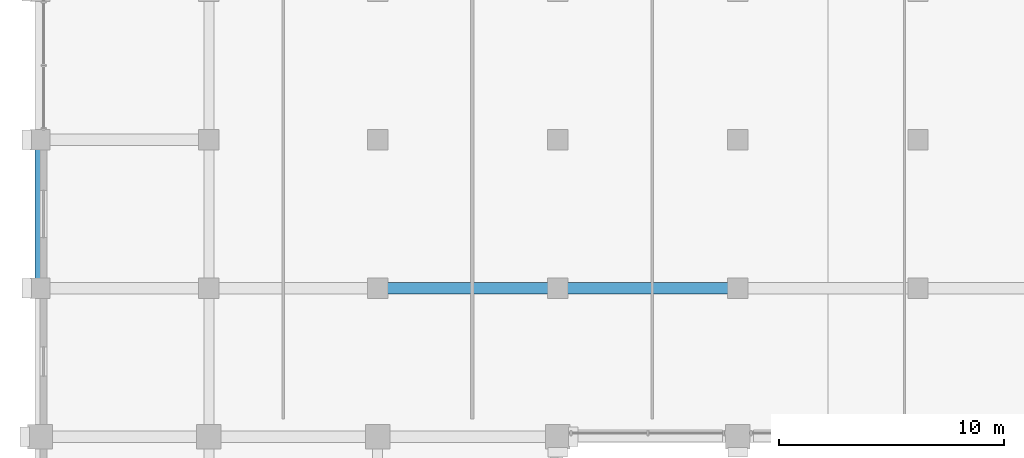
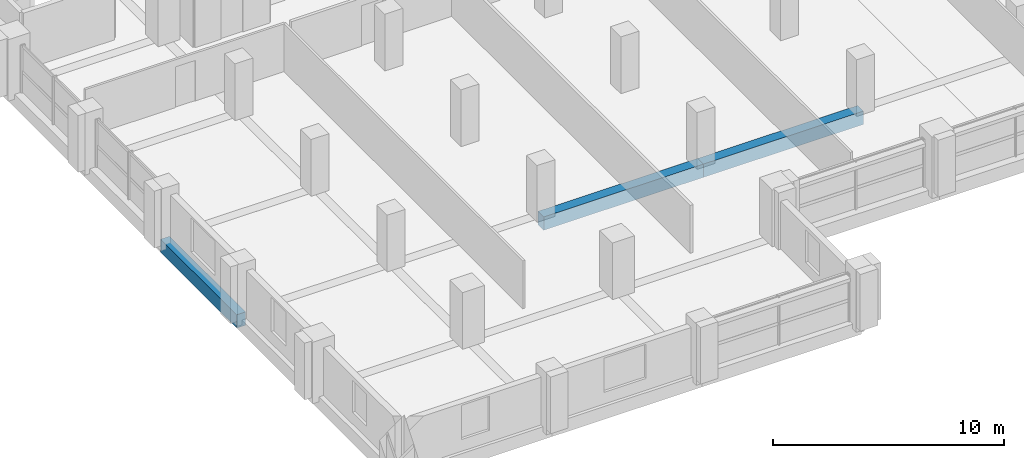
# One storey, part 3 of 22: 3 beams.
"""IFC4 building model written with IfcOpenShell, lengths in metres."""

from ifc_helpers import new_model, si_unit, direction, frame, origin, origin_2d, place, context, subcontext, project, spatial, rectangle, extrude, material, material_profile, profile_set, type_object, element, save


model = new_model("IFC4")

# Units and contexts
model_context = context("Model", 3, precision=1e-05, world=origin(), true_north=direction((0.0, 1.0)))
body_context = subcontext(model_context, "Body", "Model", "MODEL_VIEW")
ifc_project = project(units=[si_unit("LENGTHUNIT", "METRE"), si_unit("AREAUNIT", "SQUARE_METRE"), si_unit("VOLUMEUNIT", "CUBIC_METRE"), si_unit("PLANEANGLEUNIT", "RADIAN"), si_unit("MASSUNIT", "GRAM", prefix="KILO")], contexts=[model_context])

# Site, building, storey
site_placement = place(None, origin())
site = spatial("IfcSite", under=ifc_project, at=site_placement, CompositionType="ELEMENT")
building_placement = place(site_placement, origin())
building = spatial("IfcBuilding", under=site, at=building_placement, Name="Akrevak Sports Hall", CompositionType="ELEMENT")
storey_placement = place(building_placement, frame((0.0, 0.0, 30.800048828125)))
storey = spatial("IfcBuildingStorey", under=building, at=storey_placement, Name="L06", CompositionType="ELEMENT", Elevation=30.800048828125)

# Beams
ifc_material = material(Name="Concrete C40/50", Category="concrete")
ifc_material_profile_1 = material_profile(ifc_material, rectangle(XDim=0.449951171875, YDim=0.699951171875, at=origin_2d()), Name="BM 450x700", Category="concrete")
ifc_profile_set_1 = profile_set([ifc_material_profile_1], Name="Concrete C40/50")
beam_type_1 = type_object("IfcBeamType", Name="STR-BM-RC450x700", PredefinedType="BEAM", material=ifc_profile_set_1)
beam_placement = place(storey_placement, frame((45.0, 35.39990234375, -0.35009765625), z_axis=(0.0, 1.0, 0.0), x_axis=(-1.0, 0.0, 0.0)))
element("IfcBeam", 1, at=beam_placement, inside=storey, type_object=beam_type_1, Name="Girder 7/F-G (L06)", PredefinedType="BEAM", context=body_context, shape_type="SweptSolid", body=[
    extrude(rectangle(XDim=0.449951171875, YDim=0.699951171875, at=origin_2d()), origin(), (0.0, 0.0, 1.0), 6.60009765625),
])
ifc_material_profile_2 = material_profile(ifc_material, rectangle(XDim=0.5, YDim=0.699951171875, at=origin_2d()), Name="BM 500x700", Category="concrete")
ifc_profile_set_2 = profile_set([ifc_material_profile_2], Name="Concrete C40/50")
beam_type_2 = type_object("IfcBeamType", Name="STR-BM-RC500x700", PredefinedType="BEAM", material=ifc_profile_set_2)
for number, where, z_axis, x_axis, name in (
    (2, (60.0, 35.39990234375, -0.35009765625), (1.0, 0.0, 0.0), (0.0, 1.0, 0.0), "Girder F/9-10 (L06)"),
    (3, (68.0, 35.39990234375, -0.35009765625), (1.0, 0.0, 0.0), (0.0, 1.0, 0.0), "Girder F/10-11 (L06)"),
):
    element("IfcBeam", number, at=place(storey_placement, frame(where, z_axis=z_axis, x_axis=x_axis)), inside=storey, type_object=beam_type_2, Name=name, PredefinedType="BEAM", context=body_context, shape_type="SweptSolid", body=[
        extrude(rectangle(XDim=0.5, YDim=0.699951171875, at=origin_2d()), origin(), (0.0, 0.0, 1.0), 8.0),
    ])

save(model, "model.ifc")
